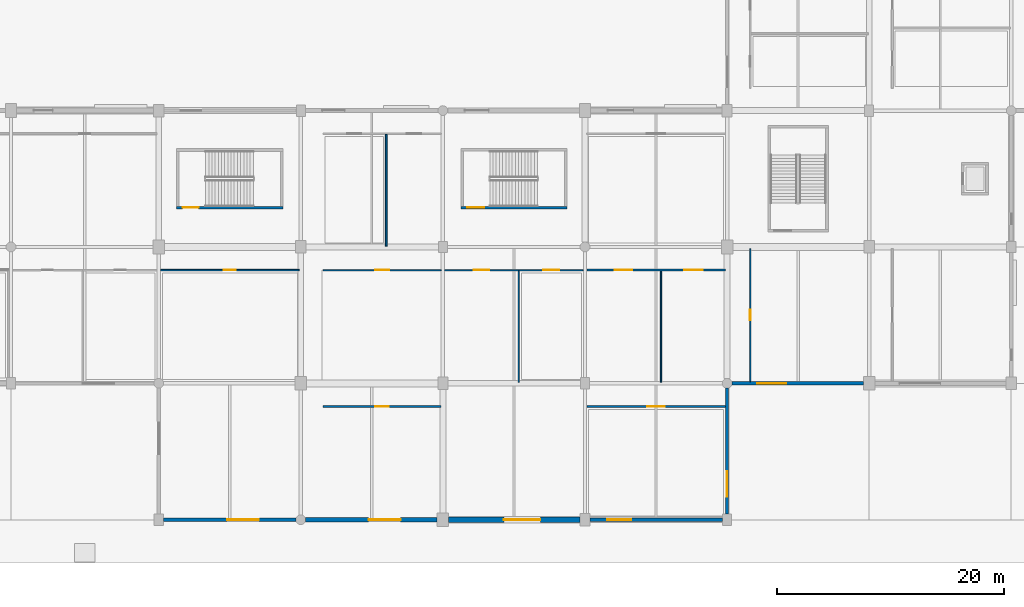
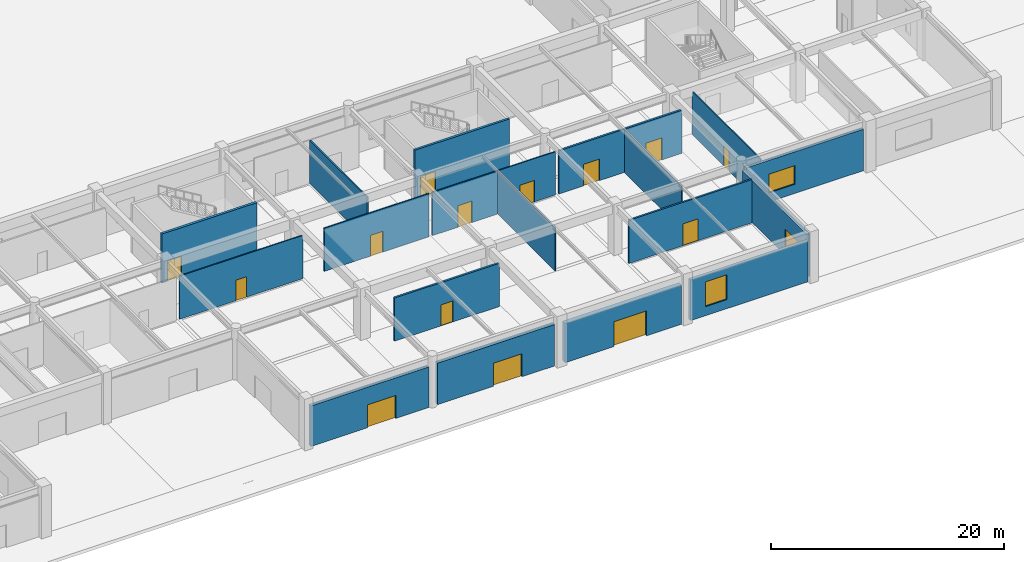
# One storey, part 22 of 69: 18 walls, 14 doors, 3 windows, 17 openings.
"""IFC4 building model written with IfcOpenShell, lengths in metres."""

from ifc_helpers import new_model, si_unit, direction, frame, frame_2d, origin, place, context, subcontext, project, spatial, rectangle, extrude, material, layer, layer_set, type_object, element, fill, save


model = new_model("IFC4")

# Units and contexts
model_context = context("Model", 3, precision=1e-05, world=origin(), true_north=direction((0.0, 1.0)))
body_context = subcontext(model_context, "Body", "Model", "MODEL_VIEW")
ifc_project = project(units=[si_unit("LENGTHUNIT", "METRE"), si_unit("AREAUNIT", "SQUARE_METRE"), si_unit("VOLUMEUNIT", "CUBIC_METRE"), si_unit("PLANEANGLEUNIT", "RADIAN"), si_unit("MASSUNIT", "GRAM", prefix="KILO")], contexts=[model_context])

# Site, building, storey
site_placement = place(None, origin())
site = spatial("IfcSite", under=ifc_project, at=site_placement, CompositionType="ELEMENT")
building_placement = place(site_placement, origin())
building = spatial("IfcBuilding", under=site, at=building_placement, Name="Kazenohara Klinker Stadium", CompositionType="ELEMENT")
storey_placement = place(building_placement, origin())
storey = spatial("IfcBuildingStorey", under=building, at=storey_placement, Name="L00", CompositionType="ELEMENT", Elevation=0.0)

# Wall, opening, door
ifc_material_1 = material(Name="Concrete C40/50", Category="concrete")
ifc_layer_1 = layer(ifc_material_1, 0.22998046875)
ifc_layer_set_1 = layer_set([ifc_layer_1], Name="Concrete C40/50")
wall_type_1 = type_object("IfcWallType", Name="WAL-CORE-230", PredefinedType="SHEAR", material=ifc_layer_set_1)
wall_1_placement = place(storey_placement, frame((151.570068359375, 27.455078125, 0.0), z_axis=(0.0, 0.0, 1.0), x_axis=(1.0, 0.0, 0.0)))
wall_1 = element("IfcWall", 1, at=wall_1_placement, inside=storey, type_object=wall_type_1, Name="Stairwell shear wall ST28 L00 South", PredefinedType="SHEAR", context=body_context, shape_type="SweptSolid", body=[
    extrude(rectangle(XDim=9.35986328125, YDim=0.22998046875, at=frame_2d((4.679931640625, 0.0))), origin(), (0.0, 0.0, 1.0), 5.139892578125),
])
opening_1_placement = place(wall_1_placement, frame((0.550048828125, 0.0, 0.0)))
opening_1 = element("IfcOpeningElement", 2, at=opening_1_placement, cuts=wall_1, Name="Opening SD02", PredefinedType="OPENING", context=body_context, shape_type="SweptSolid", body=[
    extrude(rectangle(XDim=1.5, YDim=2.199951171875, at=frame_2d((0.75, 1.10009765625))), frame((0.0, 0.125, 0.0), z_axis=(0.0, -1.0, 0.0), x_axis=(1.0, 0.0, 0.0)), (0.0, 0.0, 1.0), 0.25),
])
ifc_material_2 = material(Name="Flush painted steel fire door leaf", Category="steel")
door_type_1 = type_object("IfcDoorType", Name="DR-STR-1500x2200", OperationType="NOTDEFINED", PredefinedType="DOOR", material=ifc_material_2)
door_1_placement = place(opening_1_placement, origin())
door_1 = element("IfcDoor", 3, at=door_1_placement, inside=storey, type_object=door_type_1, Name="Escape stairwell fire door ST28-L00", OperationType="SINGLE_SWING_LEFT", OverallHeight=2.199951171875, OverallWidth=1.5, PredefinedType="DOOR", context=body_context, shape_type="SweptSolid", body=[
    extrude(rectangle(XDim=1.5, YDim=2.199951171875, at=frame_2d((0.75, 1.10009765625))), frame((0.0, 0.02490234375, 0.0), z_axis=(0.0, -1.0, 0.0), x_axis=(1.0, 0.0, 0.0)), (0.0, 0.0, 1.0), 0.050048828125),
])
fill(opening_1, door_1)

ifc_layer_2 = layer(ifc_material_1, 0.25)
ifc_layer_set_2 = layer_set([ifc_layer_2], Name="Concrete C40/50")
wall_type_2 = type_object("IfcWallType", Name="WAL-CORE-250", PredefinedType="SHEAR", material=ifc_layer_set_2)
wall_2_placement = place(storey_placement, frame((126.550048828125, 27.455078125, 0.0), z_axis=(0.0, 0.0, 1.0), x_axis=(1.0, 0.0, 0.0)))
wall_2 = element("IfcWall", 4, at=wall_2_placement, inside=storey, type_object=wall_type_2, Name="Stairwell shear wall ST27 L00 South", PredefinedType="SHEAR", context=body_context, shape_type="SweptSolid", body=[
    extrude(rectangle(XDim=9.39990234375, YDim=0.25, at=frame_2d((4.699951171875, 0.0))), origin(), (0.0, 0.0, 1.0), 5.139892578125),
])
opening_2_placement = place(wall_2_placement, frame((0.550048828125, 0.0, 0.0)))
opening_2 = element("IfcOpeningElement", 5, at=opening_2_placement, cuts=wall_2, Name="Opening SD01", PredefinedType="OPENING", context=body_context, shape_type="SweptSolid", body=[
    extrude(rectangle(XDim=1.39990234375, YDim=2.14990234375, at=frame_2d((0.699951171875, 1.074951171875))), frame((0.0, 0.135009765625, 0.0), z_axis=(0.0, -1.0, 0.0), x_axis=(1.0, 0.0, 0.0)), (0.0, 0.0, 1.0), 0.27001953125),
])
door_type_2 = type_object("IfcDoorType", Name="DR-STR-1400x2150", OperationType="NOTDEFINED", PredefinedType="DOOR", material=ifc_material_2)
door_2_placement = place(opening_2_placement, origin())
door_2 = element("IfcDoor", 6, at=door_2_placement, inside=storey, type_object=door_type_2, Name="Escape stairwell fire door ST27-L00", OperationType="SINGLE_SWING_LEFT", OverallHeight=2.14990234375, OverallWidth=1.39990234375, PredefinedType="DOOR", context=body_context, shape_type="SweptSolid", body=[
    extrude(rectangle(XDim=1.39990234375, YDim=2.14990234375, at=frame_2d((0.699951171875, 1.074951171875))), frame((0.0, 0.02490234375, 0.0), z_axis=(0.0, -1.0, 0.0), x_axis=(1.0, 0.0, 0.0)), (0.0, 0.0, 1.0), 0.050048828125),
])
fill(opening_2, door_2)

# Wall, opening, window
ifc_material_3 = material(Name="Clinker brick masonry", Category="masonry")
ifc_layer_3 = layer(ifc_material_3, 0.280029296875)
ifc_layer_set_3 = layer_set([ifc_layer_3], Name="Clinker brick masonry")
wall_type_3 = type_object("IfcWallType", Name="WAL-EXT-CB280", PredefinedType="SOLIDWALL", material=ifc_layer_set_3)
wall_3_placement = place(storey_placement, frame((175.0, 0.50390625, 0.0), z_axis=(0.0, 0.0, 1.0), x_axis=(0.0, 1.0, 0.0)))
wall_3 = element("IfcWall", 7, at=wall_3_placement, inside=storey, type_object=wall_type_3, Name="Clinker brick cavity wall EW06 L00 Y14-0", PredefinedType="SOLIDWALL", context=body_context, shape_type="SweptSolid", body=[
    extrude(rectangle(XDim=11.067138671875, YDim=0.280029296875, at=frame_2d((5.53369140625, 0.0))), origin(), (0.0, 0.0, 1.0), 4.43994140625),
])
opening_3_placement = place(wall_3_placement, frame((1.5, 0.0, 0.949951171875)))
opening_3 = element("IfcOpeningElement", 8, at=opening_3_placement, cuts=wall_3, Name="Opening W21", PredefinedType="OPENING", context=body_context, shape_type="SweptSolid", body=[
    extrude(rectangle(XDim=2.25, YDim=1.800048828125, at=frame_2d((1.125, 0.89990234375))), frame((0.0, 0.14990234375, 0.0), z_axis=(0.0, -1.0, 0.0), x_axis=(1.0, 0.0, 0.0)), (0.0, 0.0, 1.0), 0.300048828125),
])
ifc_material_4 = material(Name="Dark bronze aluminium frame and triple glazing", Category="aluminium")
window_type_1 = type_object("IfcWindowType", Name="WIN-AS-21", PartitioningType="SINGLE_PANEL", PredefinedType="WINDOW", material=ifc_material_4)
window_1_placement = place(opening_3_placement, origin())
window_1 = element("IfcWindow", 9, at=window_1_placement, inside=storey, type_object=window_type_1, Name="Horizontal-mullion ladder window W21 L00 Y14-0", OverallHeight=1.800048828125, OverallWidth=2.25, PartitioningType="SINGLE_PANEL", PredefinedType="WINDOW", context=body_context, shape_type="SweptSolid", body=[
    extrude(rectangle(XDim=2.25, YDim=1.800048828125, at=frame_2d((1.125, 0.89990234375))), frame((0.0, 0.030029296875, 0.0), z_axis=(0.0, -1.0, 0.0), x_axis=(1.0, 0.0, 0.0)), (0.0, 0.0, 1.0), 0.06005859375),
])
fill(opening_3, window_1)

ifc_layer_4 = layer(ifc_material_3, 0.31005859375)
ifc_layer_set_4 = layer_set([ifc_layer_4], Name="Clinker brick masonry")
wall_type_4 = type_object("IfcWallType", Name="WAL-EXT-CB310", PredefinedType="SOLIDWALL", material=ifc_layer_set_4)
wall_4_placement = place(storey_placement, frame((162.9541015625, 0.0, 0.0), z_axis=(0.0, 0.0, 1.0), x_axis=(1.0, 0.0, 0.0)))
wall_4 = element("IfcWall", 10, at=wall_4_placement, inside=storey, type_object=wall_type_4, Name="Clinker brick cavity wall EW05 L00 X13-0", PredefinedType="SOLIDWALL", context=body_context, shape_type="SweptSolid", body=[
    extrude(rectangle(XDim=11.641845703125, YDim=0.31005859375, at=frame_2d((5.82080078125, 0.0))), origin(), (0.0, 0.0, 1.0), 4.239990234375),
])
opening_4_placement = place(wall_4_placement, frame((1.5, 0.0, 0.949951171875)))
opening_4 = element("IfcOpeningElement", 11, at=opening_4_placement, cuts=wall_4, Name="Opening W20", PredefinedType="OPENING", context=body_context, shape_type="SweptSolid", body=[
    extrude(rectangle(XDim=2.10009765625, YDim=2.60009765625, at=frame_2d((1.050048828125, 1.300048828125))), frame((0.0, 0.1650390625, 0.0), z_axis=(0.0, -1.0, 0.0), x_axis=(1.0, 0.0, 0.0)), (0.0, 0.0, 1.0), 0.330078125),
])
window_type_2 = type_object("IfcWindowType", Name="WIN-AS-20", PartitioningType="SINGLE_PANEL", PredefinedType="WINDOW", material=ifc_material_4)
window_2_placement = place(opening_4_placement, origin())
window_2 = element("IfcWindow", 12, at=window_2_placement, inside=storey, type_object=window_type_2, Name="Horizontal-mullion ladder window W20 L00 X13-0", OverallHeight=2.60009765625, OverallWidth=2.10009765625, PartitioningType="SINGLE_PANEL", PredefinedType="WINDOW", context=body_context, shape_type="SweptSolid", body=[
    extrude(rectangle(XDim=2.10009765625, YDim=2.60009765625, at=frame_2d((1.050048828125, 1.300048828125))), frame((0.0, 0.030029296875, 0.0), z_axis=(0.0, -1.0, 0.0), x_axis=(1.0, 0.0, 0.0)), (0.0, 0.0, 1.0), 0.06005859375),
])
fill(opening_4, window_2)

wall_5_placement = place(storey_placement, frame((175.428955078125, 12.0, 0.0), z_axis=(0.0, 0.0, 1.0), x_axis=(1.0, 0.0, 0.0)))
wall_5 = element("IfcWall", 13, at=wall_5_placement, inside=storey, type_object=wall_type_4, Name="Clinker brick cavity wall EW05 L00 X14-1", PredefinedType="SOLIDWALL", context=body_context, shape_type="SweptSolid", body=[
    extrude(rectangle(XDim=11.567138671875, YDim=0.31005859375, at=frame_2d((5.78369140625, 0.0))), origin(), (0.0, 0.0, 1.0), 4.340087890625),
])
opening_5_placement = place(wall_5_placement, frame((2.240966796875, 0.0, 0.949951171875)))
opening_5 = element("IfcOpeningElement", 14, at=opening_5_placement, cuts=wall_5, Name="Opening W26", PredefinedType="OPENING", context=body_context, shape_type="SweptSolid", body=[
    extrude(rectangle(XDim=2.550048828125, YDim=1.949951171875, at=frame_2d((1.27490234375, 0.97509765625))), frame((0.0, 0.1650390625, 0.0), z_axis=(0.0, -1.0, 0.0), x_axis=(1.0, 0.0, 0.0)), (0.0, 0.0, 1.0), 0.330078125),
])
window_type_3 = type_object("IfcWindowType", Name="WIN-AS-26", PartitioningType="SINGLE_PANEL", PredefinedType="WINDOW", material=ifc_material_4)
window_3_placement = place(opening_5_placement, origin())
window_3 = element("IfcWindow", 15, at=window_3_placement, inside=storey, type_object=window_type_3, Name="Horizontal-mullion ladder window W26 L00 X14-1", OverallHeight=1.949951171875, OverallWidth=2.550048828125, PartitioningType="SINGLE_PANEL", PredefinedType="WINDOW", context=body_context, shape_type="SweptSolid", body=[
    extrude(rectangle(XDim=2.550048828125, YDim=1.949951171875, at=frame_2d((1.27490234375, 0.97509765625))), frame((0.0, 0.030029296875, 0.0), z_axis=(0.0, -1.0, 0.0), x_axis=(1.0, 0.0, 0.0)), (0.0, 0.0, 1.0), 0.06005859375),
])
fill(opening_5, window_3)

# Wall, opening, door
ifc_layer_5 = layer(ifc_material_3, 0.340087890625)
ifc_layer_set_5 = layer_set([ifc_layer_5], Name="Clinker brick masonry")
wall_type_5 = type_object("IfcWallType", Name="WAL-EXT-CB340", PredefinedType="SOLIDWALL", material=ifc_layer_set_5)
wall_6_placement = place(storey_placement, frame((125.404052734375, 0.0, 0.0), z_axis=(0.0, 0.0, 1.0), x_axis=(1.0, 0.0, 0.0)))
wall_6 = element("IfcWall", 16, at=wall_6_placement, inside=storey, type_object=wall_type_5, Name="Clinker brick cavity wall EW04 L00 X10-0", PredefinedType="SOLIDWALL", context=body_context, shape_type="SweptSolid", body=[
    extrude(rectangle(XDim=11.6669921875, YDim=0.340087890625, at=frame_2d((5.83349609375, 0.0))), origin(), (0.0, 0.0, 1.0), 4.239990234375),
])
opening_6_placement = place(wall_6_placement, frame((8.400146484375, 0.0, 0.0), z_axis=(0.0, 0.0, 1.0), x_axis=(-1.0, 0.0, 0.0)))
opening_6 = element("IfcOpeningElement", 17, at=opening_6_placement, cuts=wall_6, Name="Opening G27", PredefinedType="OPENING", context=body_context, shape_type="SweptSolid", body=[
    extrude(rectangle(XDim=2.800048828125, YDim=2.39990234375, at=frame_2d((1.39990234375, 1.199951171875))), frame((0.0, 0.18017578125, 0.0), z_axis=(0.0, -1.0, 0.0), x_axis=(1.0, 0.0, 0.0)), (0.0, 0.0, 1.0), 0.360107421875),
])
ifc_material_5 = material(Name="Powder-coated aluminium and laminated safety glass", Category="aluminium")
door_type_3 = type_object("IfcDoorType", Name="DR-GATE-2800x2400", OperationType="NOTDEFINED", PredefinedType="DOOR", material=ifc_material_5)
door_3_placement = place(opening_6_placement, origin())
door_3 = element("IfcDoor", 18, at=door_3_placement, inside=storey, type_object=door_type_3, Name="Pedestrian exit gate G27", OperationType="DOUBLE_DOOR_SINGLE_SWING", OverallHeight=2.39990234375, OverallWidth=2.800048828125, PredefinedType="DOOR", context=body_context, shape_type="SweptSolid", body=[
    extrude(rectangle(XDim=2.800048828125, YDim=2.39990234375, at=frame_2d((1.39990234375, 1.199951171875))), frame((0.0, 0.02490234375, 0.0), z_axis=(0.0, -1.0, 0.0), x_axis=(1.0, 0.0, 0.0)), (0.0, 0.0, 1.0), 0.050048828125),
])
fill(opening_6, door_3)

ifc_layer_6 = layer(ifc_material_3, 0.3701171875)
ifc_layer_set_6 = layer_set([ifc_layer_6], Name="Clinker brick masonry")
wall_type_6 = type_object("IfcWallType", Name="WAL-EXT-CB370", PredefinedType="SOLIDWALL", material=ifc_layer_set_6)
wall_7_placement = place(storey_placement, frame((137.928955078125, 0.0, 0.0), z_axis=(0.0, 0.0, 1.0), x_axis=(1.0, 0.0, 0.0)))
wall_7 = element("IfcWall", 19, at=wall_7_placement, inside=storey, type_object=wall_type_6, Name="Clinker brick cavity wall EW03 L00 X11-0", PredefinedType="SOLIDWALL", context=body_context, shape_type="SweptSolid", body=[
    extrude(rectangle(XDim=11.567138671875, YDim=0.3701171875, at=frame_2d((5.78369140625, 0.0))), origin(), (0.0, 0.0, 1.0), 4.340087890625),
])
opening_7_placement = place(wall_7_placement, frame((8.34033203125, 0.0, 0.0), z_axis=(0.0, 0.0, 1.0), x_axis=(-1.0, 0.0, 0.0)))
opening_7 = element("IfcOpeningElement", 20, at=opening_7_placement, cuts=wall_7, Name="Opening G30", PredefinedType="OPENING", context=body_context, shape_type="SweptSolid", body=[
    extrude(rectangle(XDim=2.800048828125, YDim=2.39990234375, at=frame_2d((1.39990234375, 1.199951171875))), frame((0.0, 0.195068359375, 0.0), z_axis=(0.0, -1.0, 0.0), x_axis=(1.0, 0.0, 0.0)), (0.0, 0.0, 1.0), 0.39013671875),
])
door_4_placement = place(opening_7_placement, origin())
door_4 = element("IfcDoor", 21, at=door_4_placement, inside=storey, type_object=door_type_3, Name="Pedestrian exit gate G30", OperationType="DOUBLE_DOOR_SINGLE_SWING", OverallHeight=2.39990234375, OverallWidth=2.800048828125, PredefinedType="DOOR", context=body_context, shape_type="SweptSolid", body=[
    extrude(rectangle(XDim=2.800048828125, YDim=2.39990234375, at=frame_2d((1.39990234375, 1.199951171875))), frame((0.0, 0.02490234375, 0.0), z_axis=(0.0, -1.0, 0.0), x_axis=(1.0, 0.0, 0.0)), (0.0, 0.0, 1.0), 0.050048828125),
])
fill(opening_7, door_4)

ifc_layer_7 = layer(ifc_material_3, 0.449951171875)
ifc_layer_set_7 = layer_set([ifc_layer_7], Name="Clinker brick masonry")
wall_type_7 = type_object("IfcWallType", Name="WAL-EXT-CB450", PredefinedType="SOLIDWALL", material=ifc_layer_set_7)
wall_8_placement = place(storey_placement, frame((150.50390625, 0.0, 0.0), z_axis=(0.0, 0.0, 1.0), x_axis=(1.0, 0.0, 0.0)))
wall_8 = element("IfcWall", 22, at=wall_8_placement, inside=storey, type_object=wall_type_7, Name="Clinker brick cavity wall EW01 L00 X12-0", PredefinedType="SOLIDWALL", context=body_context, shape_type="SweptSolid", body=[
    extrude(rectangle(XDim=11.5419921875, YDim=0.449951171875, at=frame_2d((5.77099609375, 0.0))), origin(), (0.0, 0.0, 1.0), 4.090087890625),
])
opening_8_placement = place(wall_8_placement, frame((8.0634765625, 0.0, 0.0), z_axis=(0.0, 0.0, 1.0), x_axis=(-1.0, 0.0, 0.0)))
opening_8 = element("IfcOpeningElement", 23, at=opening_8_placement, cuts=wall_8, Name="Opening E06", PredefinedType="OPENING", context=body_context, shape_type="SweptSolid", body=[
    extrude(rectangle(XDim=3.199951171875, YDim=2.60009765625, at=frame_2d((1.60009765625, 1.300048828125))), frame((0.0, 0.23486328125, 0.0), z_axis=(0.0, -1.0, 0.0), x_axis=(1.0, 0.0, 0.0)), (0.0, 0.0, 1.0), 0.469970703125),
])
ifc_material_6 = material(Name="Bronze-anodised aluminium and tempered glass", Category="aluminium")
door_type_4 = type_object("IfcDoorType", Name="DR-ENT-3200x2600", OperationType="NOTDEFINED", PredefinedType="DOOR", material=ifc_material_6)
door_5_placement = place(opening_8_placement, origin())
door_5 = element("IfcDoor", 24, at=door_5_placement, inside=storey, type_object=door_type_4, Name="Main spectator entrance E06", OperationType="DOUBLE_DOOR_SINGLE_SWING", OverallHeight=2.60009765625, OverallWidth=3.199951171875, PredefinedType="DOOR", context=body_context, shape_type="SweptSolid", body=[
    extrude(rectangle(XDim=3.199951171875, YDim=2.60009765625, at=frame_2d((1.60009765625, 1.300048828125))), frame((0.0, 0.02490234375, 0.0), z_axis=(0.0, -1.0, 0.0), x_axis=(1.0, 0.0, 0.0)), (0.0, 0.0, 1.0), 0.050048828125),
])
fill(opening_8, door_5)

ifc_material_7 = material(Name="Fire-rated gypsum board on acoustic studs", Category="gypsum")
ifc_layer_8 = layer(ifc_material_7, 0.110107421875)
ifc_layer_set_8 = layer_set([ifc_layer_8], Name="Fire-rated gypsum board on acoustic studs")
wall_type_8 = type_object("IfcWallType", Name="WAL-INT-P110", PredefinedType="PARTITIONING", material=ifc_layer_set_8)
wall_9_placement = place(storey_placement, frame((139.469970703125, 21.9599609375, 0.0), z_axis=(0.0, 0.0, 1.0), x_axis=(1.0, 0.0, 0.0)))
wall_9 = element("IfcWall", 25, at=wall_9_placement, inside=storey, type_object=wall_type_8, Name="Interior partition wall PT01 SPC-L00-11-01-1-1", PredefinedType="PARTITIONING", context=body_context, shape_type="SweptSolid", body=[
    extrude(rectangle(XDim=10.3701171875, YDim=0.110107421875, at=frame_2d((5.18505859375, 0.0))), origin(), (0.0, 0.0, 1.0), 4.52001953125),
])
opening_9_placement = place(wall_9_placement, frame((5.7900390625, 0.0, 0.0), z_axis=(0.0, 0.0, 1.0), x_axis=(-1.0, 0.0, 0.0)))
opening_9 = element("IfcOpeningElement", 26, at=opening_9_placement, cuts=wall_9, Name="Opening ID12", PredefinedType="OPENING", context=body_context, shape_type="SweptSolid", body=[
    extrude(rectangle(XDim=1.2099609375, YDim=2.179931640625, at=frame_2d((0.60498046875, 1.08984375))), frame((0.0, 0.06494140625, 0.0), z_axis=(0.0, -1.0, 0.0), x_axis=(1.0, 0.0, 0.0)), (0.0, 0.0, 1.0), 0.130126953125),
])
ifc_material_8 = material(Name="Solid-core Hokkaido oak fire door", Category="wood")
door_type_5 = type_object("IfcDoorType", Name="DR-INT-12", OperationType="NOTDEFINED", PredefinedType="DOOR", material=ifc_material_8)
door_6_placement = place(opening_9_placement, origin())
door_6 = element("IfcDoor", 27, at=door_6_placement, inside=storey, type_object=door_type_5, Name="Interior door ID12 Civic Stadium Heritage Museum Exhibition Gallery L00-1101A", OperationType="SINGLE_SWING_LEFT", OverallHeight=2.179931640625, OverallWidth=1.2099609375, PredefinedType="DOOR", context=body_context, shape_type="SweptSolid", body=[
    extrude(rectangle(XDim=1.2099609375, YDim=2.179931640625, at=frame_2d((0.60498046875, 1.08984375))), frame((0.0, 0.02490234375, 0.0), z_axis=(0.0, -1.0, 0.0), x_axis=(1.0, 0.0, 0.0)), (0.0, 0.0, 1.0), 0.050048828125),
])
fill(opening_9, door_6)

# Wall, openings, doors
wall_10_placement = place(storey_placement, frame((150.159912109375, 21.9599609375, 0.0), z_axis=(0.0, 0.0, 1.0), x_axis=(1.0, 0.0, 0.0)))
wall_10 = element("IfcWall", 28, at=wall_10_placement, inside=storey, type_object=wall_type_8, Name="Interior partition wall PT01 SPC-L00-12-01-1-1", PredefinedType="PARTITIONING", context=body_context, shape_type="SweptSolid", body=[
    extrude(rectangle(XDim=12.18017578125, YDim=0.110107421875, at=frame_2d((6.090087890625, 0.0))), origin(), (0.0, 0.0, 1.0), 4.52001953125),
])
opening_10_placement = place(wall_10_placement, frame((3.898193359375, 0.0, 0.0), z_axis=(0.0, 0.0, 1.0), x_axis=(-1.0, 0.0, 0.0)))
opening_10 = element("IfcOpeningElement", 29, at=opening_10_placement, cuts=wall_10, Name="Opening ID17", PredefinedType="OPENING", context=body_context, shape_type="SweptSolid", body=[
    extrude(rectangle(XDim=1.360107421875, YDim=2.25, at=frame_2d((0.68017578125, 1.125))), frame((0.0, 0.06494140625, 0.0), z_axis=(0.0, -1.0, 0.0), x_axis=(1.0, 0.0, 0.0)), (0.0, 0.0, 1.0), 0.130126953125),
])
opening_11_placement = place(wall_10_placement, frame((10.088134765625, 0.0, 0.0), z_axis=(0.0, 0.0, 1.0), x_axis=(-1.0, 0.0, 0.0)))
opening_11 = element("IfcOpeningElement", 30, at=opening_11_placement, cuts=wall_10, Name="Opening ID18", PredefinedType="OPENING", context=body_context, shape_type="SweptSolid", body=[
    extrude(rectangle(XDim=1.39990234375, YDim=2.239990234375, at=frame_2d((0.699951171875, 1.1201171875))), frame((0.0, 0.06494140625, 0.0), z_axis=(0.0, -1.0, 0.0), x_axis=(1.0, 0.0, 0.0)), (0.0, 0.0, 1.0), 0.130126953125),
])
door_type_6 = type_object("IfcDoorType", Name="DR-INT-17", OperationType="NOTDEFINED", PredefinedType="DOOR", material=ifc_material_8)
door_7_placement = place(opening_10_placement, origin())
door_7 = element("IfcDoor", 31, at=door_7_placement, inside=storey, type_object=door_type_6, Name="Interior door ID17 Spectator First-Aid Medical Clinic L00-1201A", OperationType="SINGLE_SWING_RIGHT", OverallHeight=2.25, OverallWidth=1.360107421875, PredefinedType="DOOR", context=body_context, shape_type="SweptSolid", body=[
    extrude(rectangle(XDim=1.360107421875, YDim=2.25, at=frame_2d((0.68017578125, 1.125))), frame((0.0, 0.02490234375, 0.0), z_axis=(0.0, -1.0, 0.0), x_axis=(1.0, 0.0, 0.0)), (0.0, 0.0, 1.0), 0.050048828125),
])
fill(opening_10, door_7)
door_type_7 = type_object("IfcDoorType", Name="DR-INT-18", OperationType="NOTDEFINED", PredefinedType="DOOR", material=ifc_material_8)
door_8_placement = place(opening_11_placement, origin())
door_8 = element("IfcDoor", 32, at=door_8_placement, inside=storey, type_object=door_type_7, Name="Interior door ID18 Winter-Garden Retail Galleria Boutique L00-1201B", OperationType="SINGLE_SWING_LEFT", OverallHeight=2.239990234375, OverallWidth=1.39990234375, PredefinedType="DOOR", context=body_context, shape_type="SweptSolid", body=[
    extrude(rectangle(XDim=1.39990234375, YDim=2.239990234375, at=frame_2d((0.699951171875, 1.1201171875))), frame((0.0, 0.02490234375, 0.0), z_axis=(0.0, -1.0, 0.0), x_axis=(1.0, 0.0, 0.0)), (0.0, 0.0, 1.0), 0.050048828125),
])
fill(opening_11, door_8)

# Wall
wall_11_placement = place(storey_placement, frame((169.17626953125, 12.080078125, 0.0), z_axis=(0.0, 0.0, 1.0), x_axis=(0.0, 1.0, 0.0)))
element("IfcWall", 33, at=wall_11_placement, inside=storey, type_object=wall_type_8, Name="Interior partition wall PT01 SPC-L00-13-01-1-2", PredefinedType="PARTITIONING", context=body_context, shape_type="SweptSolid", body=[
    extrude(rectangle(XDim=9.780029296875, YDim=0.110107421875, at=frame_2d((4.89013671875, 0.0))), origin(), (0.0, 0.0, 1.0), 4.52001953125),
])

# Wall, opening, door
wall_12_placement = place(storey_placement, frame((177.0400390625, 12.156982421875, 0.0), z_axis=(0.0, 0.0, 1.0), x_axis=(0.0, 1.0, 0.0)))
wall_12 = element("IfcWall", 34, at=wall_12_placement, inside=storey, type_object=wall_type_8, Name="Interior partition wall PT01 SPC-L00-14-01-1-1", PredefinedType="PARTITIONING", context=body_context, shape_type="SweptSolid", body=[
    extrude(rectangle(XDim=11.68310546875, YDim=0.110107421875, at=frame_2d((5.841552734375, 0.0))), origin(), (0.0, 0.0, 1.0), 4.52001953125),
])
opening_12_placement = place(wall_12_placement, frame((6.302978515625, 0.0, 0.0), z_axis=(0.0, 0.0, 1.0), x_axis=(-1.0, 0.0, 0.0)))
opening_12 = element("IfcOpeningElement", 35, at=opening_12_placement, cuts=wall_12, Name="Opening ID02", PredefinedType="OPENING", context=body_context, shape_type="SweptSolid", body=[
    extrude(rectangle(XDim=0.919921875, YDim=2.10009765625, at=frame_2d((0.4599609375, 1.050048828125))), frame((0.0, 0.06494140625, 0.0), z_axis=(0.0, -1.0, 0.0), x_axis=(1.0, 0.0, 0.0)), (0.0, 0.0, 1.0), 0.130126953125),
])
door_type_8 = type_object("IfcDoorType", Name="DR-INT-02", OperationType="NOTDEFINED", PredefinedType="DOOR", material=ifc_material_8)
door_9_placement = place(opening_12_placement, origin())
door_9 = element("IfcDoor", 36, at=door_9_placement, inside=storey, type_object=door_type_8, Name="Interior door ID02 Spectator First-Aid Medical Clinic L00-1401A", OperationType="SINGLE_SWING_LEFT", OverallHeight=2.10009765625, OverallWidth=0.919921875, PredefinedType="DOOR", context=body_context, shape_type="SweptSolid", body=[
    extrude(rectangle(XDim=0.919921875, YDim=2.10009765625, at=frame_2d((0.4599609375, 1.050048828125))), frame((0.0, 0.02490234375, 0.0), z_axis=(0.0, -1.0, 0.0), x_axis=(1.0, 0.0, 0.0)), (0.0, 0.0, 1.0), 0.050048828125),
])
fill(opening_12, door_9)

ifc_layer_9 = layer(ifc_material_7, 0.1201171875)
ifc_layer_set_9 = layer_set([ifc_layer_9], Name="Fire-rated gypsum board on acoustic studs")
wall_type_9 = type_object("IfcWallType", Name="WAL-INT-P120", PredefinedType="PARTITIONING", material=ifc_layer_set_9)
wall_13_placement = place(storey_placement, frame((125.159912109375, 21.9599609375, 0.0), z_axis=(0.0, 0.0, 1.0), x_axis=(1.0, 0.0, 0.0)))
wall_13 = element("IfcWall", 37, at=wall_13_placement, inside=storey, type_object=wall_type_9, Name="Interior partition wall PT02 SPC-L00-10-01-1-1", PredefinedType="PARTITIONING", context=body_context, shape_type="SweptSolid", body=[
    extrude(rectangle(XDim=12.18017578125, YDim=0.1201171875, at=frame_2d((6.090087890625, 0.0))), origin(), (0.0, 0.0, 1.0), 4.52001953125),
])
opening_13_placement = place(wall_13_placement, frame((6.6201171875, 0.0, 0.0), z_axis=(0.0, 0.0, 1.0), x_axis=(-1.0, 0.0, 0.0)))
opening_13 = element("IfcOpeningElement", 38, at=opening_13_placement, cuts=wall_13, Name="Opening ID07", PredefinedType="OPENING", context=body_context, shape_type="SweptSolid", body=[
    extrude(rectangle(XDim=1.06005859375, YDim=2.14990234375, at=frame_2d((0.530029296875, 1.074951171875))), frame((0.0, 0.070068359375, 0.0), z_axis=(0.0, -1.0, 0.0), x_axis=(1.0, 0.0, 0.0)), (0.0, 0.0, 1.0), 0.14013671875),
])
door_type_9 = type_object("IfcDoorType", Name="DR-INT-07", OperationType="NOTDEFINED", PredefinedType="DOOR", material=ifc_material_8)
door_10_placement = place(opening_13_placement, origin())
door_10 = element("IfcDoor", 39, at=door_10_placement, inside=storey, type_object=door_type_9, Name="Interior door ID07 Spectator First-Aid Medical Clinic L00-1001A", OperationType="SINGLE_SWING_RIGHT", OverallHeight=2.14990234375, OverallWidth=1.06005859375, PredefinedType="DOOR", context=body_context, shape_type="SweptSolid", body=[
    extrude(rectangle(XDim=1.06005859375, YDim=2.14990234375, at=frame_2d((0.530029296875, 1.074951171875))), frame((0.0, 0.02490234375, 0.0), z_axis=(0.0, -1.0, 0.0), x_axis=(1.0, 0.0, 0.0)), (0.0, 0.0, 1.0), 0.050048828125),
])
fill(opening_13, door_10)

# Walls
wall_14_placement = place(storey_placement, frame((156.67626953125, 12.080078125, 0.0), z_axis=(0.0, 0.0, 1.0), x_axis=(0.0, 1.0, 0.0)))
element("IfcWall", 40, at=wall_14_placement, inside=storey, type_object=wall_type_9, Name="Interior partition wall PT02 SPC-L00-12-01-1-2", PredefinedType="PARTITIONING", context=body_context, shape_type="SweptSolid", body=[
    extrude(rectangle(XDim=9.81982421875, YDim=0.1201171875, at=frame_2d((4.909912109375, 0.0))), origin(), (0.0, 0.0, 1.0), 4.52001953125),
])
ifc_layer_10 = layer(ifc_material_7, 0.139892578125)
ifc_layer_set_10 = layer_set([ifc_layer_10], Name="Fire-rated gypsum board on acoustic studs")
wall_type_10 = type_object("IfcWallType", Name="WAL-INT-P140", PredefinedType="PARTITIONING", material=ifc_layer_set_10)
wall_15_placement = place(storey_placement, frame((145.01806640625, 24.080078125, 0.0), z_axis=(0.0, 0.0, 1.0), x_axis=(0.0, 1.0, 0.0)))
element("IfcWall", 41, at=wall_15_placement, inside=storey, type_object=wall_type_10, Name="Interior partition wall PT03 SPC-L00-11-02-1-2", PredefinedType="PARTITIONING", context=body_context, shape_type="SweptSolid", body=[
    extrude(rectangle(XDim=9.81494140625, YDim=0.139892578125, at=frame_2d((4.907470703125, 0.0))), origin(), (0.0, 0.0, 1.0), 4.52001953125),
])

# Wall, opening, door
ifc_layer_11 = layer(ifc_material_7, 0.169921875)
ifc_layer_set_11 = layer_set([ifc_layer_11], Name="Fire-rated gypsum board on acoustic studs")
wall_type_11 = type_object("IfcWallType", Name="WAL-INT-P170", PredefinedType="PARTITIONING", material=ifc_layer_set_11)
wall_16_placement = place(storey_placement, frame((162.659912109375, 9.9599609375, 0.0), z_axis=(0.0, 0.0, 1.0), x_axis=(1.0, 0.0, 0.0)))
wall_16 = element("IfcWall", 42, at=wall_16_placement, inside=storey, type_object=wall_type_11, Name="Interior partition wall PT05 SPC-L00-13-00-1-1", PredefinedType="PARTITIONING", context=body_context, shape_type="SweptSolid", body=[
    extrude(rectangle(XDim=12.197998046875, YDim=0.169921875, at=frame_2d((6.09912109375, 0.0))), origin(), (0.0, 0.0, 1.0), 4.52001953125),
])
opening_14_placement = place(wall_16_placement, frame((6.85009765625, 0.0, 0.0), z_axis=(0.0, 0.0, 1.0), x_axis=(-1.0, 0.0, 0.0)))
opening_14 = element("IfcOpeningElement", 43, at=opening_14_placement, cuts=wall_16, Name="Opening ID21", PredefinedType="OPENING", context=body_context, shape_type="SweptSolid", body=[
    extrude(rectangle(XDim=1.52001953125, YDim=2.280029296875, at=frame_2d((0.760009765625, 1.14013671875))), frame((0.0, 0.094970703125, 0.0), z_axis=(0.0, -1.0, 0.0), x_axis=(1.0, 0.0, 0.0)), (0.0, 0.0, 1.0), 0.18994140625),
])
ifc_material_9 = material(Name="Painted steel plant fire door", Category="steel")
door_type_10 = type_object("IfcDoorType", Name="DR-INT-21", OperationType="NOTDEFINED", PredefinedType="DOOR", material=ifc_material_9)
door_11_placement = place(opening_14_placement, origin())
door_11 = element("IfcDoor", 44, at=door_11_placement, inside=storey, type_object=door_type_10, Name="Interior door ID21 Spectator First-Aid Medical Clinic L00-1300A", OperationType="SINGLE_SWING_RIGHT", OverallHeight=2.280029296875, OverallWidth=1.52001953125, PredefinedType="DOOR", context=body_context, shape_type="SweptSolid", body=[
    extrude(rectangle(XDim=1.52001953125, YDim=2.280029296875, at=frame_2d((0.760009765625, 1.14013671875))), frame((0.0, 0.02490234375, 0.0), z_axis=(0.0, -1.0, 0.0), x_axis=(1.0, 0.0, 0.0)), (0.0, 0.0, 1.0), 0.050048828125),
])
fill(opening_14, door_11)

ifc_layer_12 = layer(ifc_material_7, 0.18994140625)
ifc_layer_set_12 = layer_set([ifc_layer_12], Name="Fire-rated gypsum board on acoustic studs")
wall_type_12 = type_object("IfcWallType", Name="WAL-INT-P190", PredefinedType="PARTITIONING", material=ifc_layer_set_12)
wall_17_placement = place(storey_placement, frame((139.469970703125, 9.9599609375, 0.0), z_axis=(0.0, 0.0, 1.0), x_axis=(1.0, 0.0, 0.0)))
wall_17 = element("IfcWall", 45, at=wall_17_placement, inside=storey, type_object=wall_type_12, Name="Interior partition wall PT06 SPC-L00-11-00-1-1", PredefinedType="PARTITIONING", context=body_context, shape_type="SweptSolid", body=[
    extrude(rectangle(XDim=10.3701171875, YDim=0.18994140625, at=frame_2d((5.18505859375, 0.0))), origin(), (0.0, 0.0, 1.0), 4.52001953125),
])
opening_15_placement = place(wall_17_placement, frame((5.77490234375, 0.0, 0.0), z_axis=(0.0, 0.0, 1.0), x_axis=(-1.0, 0.0, 0.0)))
opening_15 = element("IfcOpeningElement", 46, at=opening_15_placement, cuts=wall_17, Name="Opening ID11", PredefinedType="OPENING", context=body_context, shape_type="SweptSolid", body=[
    extrude(rectangle(XDim=1.179931640625, YDim=2.199951171875, at=frame_2d((0.58984375, 1.10009765625))), frame((0.0, 0.10498046875, 0.0), z_axis=(0.0, -1.0, 0.0), x_axis=(1.0, 0.0, 0.0)), (0.0, 0.0, 1.0), 0.2099609375),
])
door_type_11 = type_object("IfcDoorType", Name="DR-INT-11", OperationType="NOTDEFINED", PredefinedType="DOOR", material=ifc_material_8)
door_12_placement = place(opening_15_placement, origin())
door_12 = element("IfcDoor", 47, at=door_12_placement, inside=storey, type_object=door_type_11, Name="Interior door ID11 Spectator First-Aid Medical Clinic L00-1100A", OperationType="SINGLE_SWING_RIGHT", OverallHeight=2.199951171875, OverallWidth=1.179931640625, PredefinedType="DOOR", context=body_context, shape_type="SweptSolid", body=[
    extrude(rectangle(XDim=1.179931640625, YDim=2.199951171875, at=frame_2d((0.58984375, 1.10009765625))), frame((0.0, 0.02490234375, 0.0), z_axis=(0.0, -1.0, 0.0), x_axis=(1.0, 0.0, 0.0)), (0.0, 0.0, 1.0), 0.050048828125),
])
fill(opening_15, door_12)

# Wall, openings, doors
wall_18_placement = place(storey_placement, frame((162.659912109375, 21.9599609375, 0.0), z_axis=(0.0, 0.0, 1.0), x_axis=(1.0, 0.0, 0.0)))
wall_18 = element("IfcWall", 48, at=wall_18_placement, inside=storey, type_object=wall_type_12, Name="Interior partition wall PT06 SPC-L00-13-01-1-1", PredefinedType="PARTITIONING", context=body_context, shape_type="SweptSolid", body=[
    extrude(rectangle(XDim=12.18017578125, YDim=0.18994140625, at=frame_2d((6.090087890625, 0.0))), origin(), (0.0, 0.0, 1.0), 4.52001953125),
])
opening_16_placement = place(wall_18_placement, frame((3.998291015625, 0.0, 0.0), z_axis=(0.0, 0.0, 1.0), x_axis=(-1.0, 0.0, 0.0)))
opening_16 = element("IfcOpeningElement", 49, at=opening_16_placement, cuts=wall_18, Name="Opening ID22", PredefinedType="OPENING", context=body_context, shape_type="SweptSolid", body=[
    extrude(rectangle(XDim=1.56005859375, YDim=2.260009765625, at=frame_2d((0.780029296875, 1.1298828125))), frame((0.0, 0.10498046875, 0.0), z_axis=(0.0, -1.0, 0.0), x_axis=(1.0, 0.0, 0.0)), (0.0, 0.0, 1.0), 0.2099609375),
])
opening_17_placement = place(wall_18_placement, frame((10.188232421875, 0.0, 0.0), z_axis=(0.0, 0.0, 1.0), x_axis=(-1.0, 0.0, 0.0)))
opening_17 = element("IfcOpeningElement", 50, at=opening_17_placement, cuts=wall_18, Name="Opening ID23", PredefinedType="OPENING", context=body_context, shape_type="SweptSolid", body=[
    extrude(rectangle(XDim=1.60009765625, YDim=2.300048828125, at=frame_2d((0.800048828125, 1.14990234375))), frame((0.0, 0.10498046875, 0.0), z_axis=(0.0, -1.0, 0.0), x_axis=(1.0, 0.0, 0.0)), (0.0, 0.0, 1.0), 0.2099609375),
])
door_type_12 = type_object("IfcDoorType", Name="DR-INT-22", OperationType="NOTDEFINED", PredefinedType="DOOR", material=ifc_material_9)
door_13_placement = place(opening_16_placement, origin())
door_13 = element("IfcDoor", 51, at=door_13_placement, inside=storey, type_object=door_type_12, Name="Interior door ID22 Civic Stadium Heritage Museum Exhibition Gallery L00-1301A", OperationType="SINGLE_SWING_LEFT", OverallHeight=2.260009765625, OverallWidth=1.56005859375, PredefinedType="DOOR", context=body_context, shape_type="SweptSolid", body=[
    extrude(rectangle(XDim=1.56005859375, YDim=2.260009765625, at=frame_2d((0.780029296875, 1.1298828125))), frame((0.0, 0.02490234375, 0.0), z_axis=(0.0, -1.0, 0.0), x_axis=(1.0, 0.0, 0.0)), (0.0, 0.0, 1.0), 0.050048828125),
])
fill(opening_16, door_13)
door_type_13 = type_object("IfcDoorType", Name="DR-INT-23", OperationType="NOTDEFINED", PredefinedType="DOOR", material=ifc_material_9)
door_14_placement = place(opening_17_placement, origin())
door_14 = element("IfcDoor", 52, at=door_14_placement, inside=storey, type_object=door_type_13, Name="Interior door ID23 Street-Front Bakery and Cafe Restaurant L00-1301B", OperationType="SINGLE_SWING_RIGHT", OverallHeight=2.300048828125, OverallWidth=1.60009765625, PredefinedType="DOOR", context=body_context, shape_type="SweptSolid", body=[
    extrude(rectangle(XDim=1.60009765625, YDim=2.300048828125, at=frame_2d((0.800048828125, 1.14990234375))), frame((0.0, 0.02490234375, 0.0), z_axis=(0.0, -1.0, 0.0), x_axis=(1.0, 0.0, 0.0)), (0.0, 0.0, 1.0), 0.050048828125),
])
fill(opening_17, door_14)

save(model, "model.ifc")
